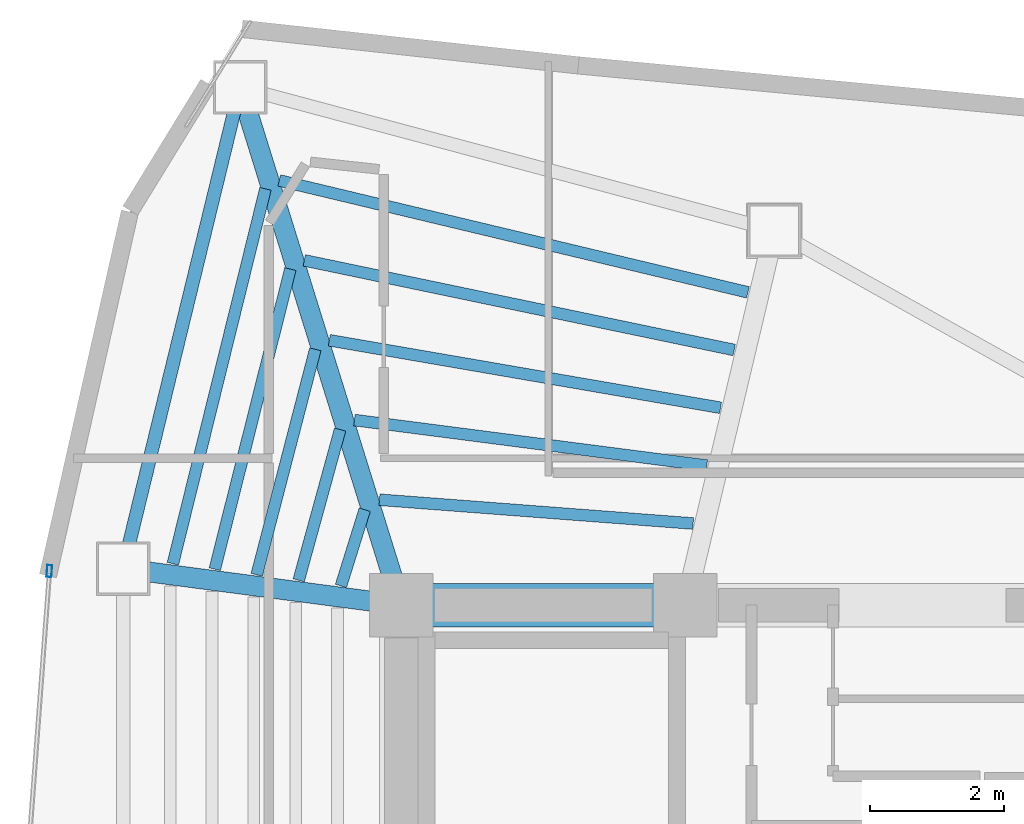
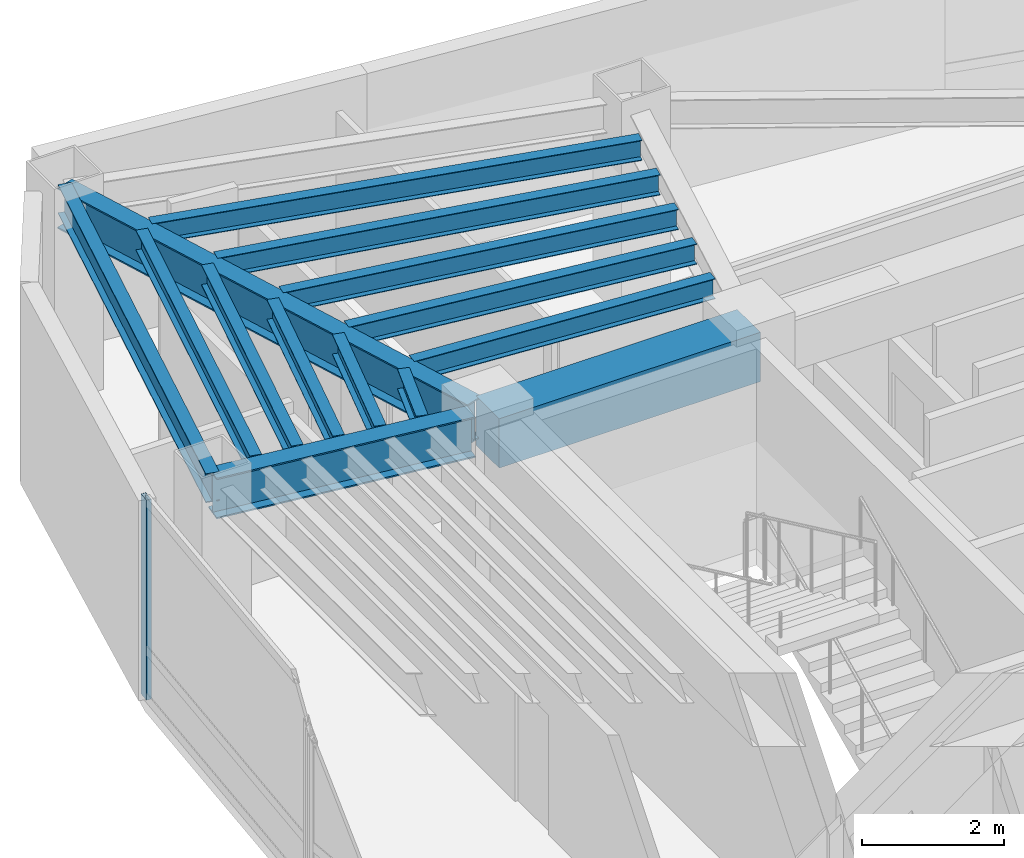
# One storey, part 8 of 17: 14 beams, 1 member, 1 element without a shape of its own.
"""IFC4 building model written with IfcOpenShell, lengths in metres."""

from ifc_helpers import new_model, si_unit, direction, frame, origin, origin_2d, place, context, subcontext, project, spatial, rectangle, hollow_rectangle, i_section, extrude, material, layer, layer_set, material_profile, profile_set, type_object, element, aggregate, save


model = new_model("IFC4")

# Units and contexts
model_context = context("Model", 3, precision=1e-05, world=origin(), true_north=direction((0.0, 1.0)))
body_context = subcontext(model_context, "Body", "Model", "MODEL_VIEW")
ifc_project = project(units=[si_unit("LENGTHUNIT", "METRE"), si_unit("AREAUNIT", "SQUARE_METRE"), si_unit("VOLUMEUNIT", "CUBIC_METRE"), si_unit("PLANEANGLEUNIT", "RADIAN"), si_unit("MASSUNIT", "GRAM", prefix="KILO")], contexts=[model_context])

# Site, building, storey
site_placement = place(None, origin())
site = spatial("IfcSite", under=ifc_project, at=site_placement, CompositionType="ELEMENT")
building_placement = place(site_placement, origin())
building = spatial("IfcBuilding", under=site, at=building_placement, Name="Menara Vayukalpa", CompositionType="ELEMENT")
storey_placement = place(building_placement, frame((0.0, 0.0, 234.419921875)))
storey = spatial("IfcBuildingStorey", under=building, at=storey_placement, Name="L59", CompositionType="ELEMENT", Elevation=234.419921875)

# Beams
ifc_material_1 = material(Name="Concrete C60/75", Category="concrete")
ifc_material_profile_1 = material_profile(ifc_material_1, rectangle(XDim=0.64990234375, YDim=0.85009765625, at=origin_2d()), Name="RC 650x850")
ifc_profile_set_1 = profile_set([ifc_material_profile_1], Name="Concrete C60/75")
beam_type_1 = type_object("IfcBeamType", Name="BM-CB1", PredefinedType="BEAM", material=ifc_profile_set_1)
beam_1_placement = place(storey_placement, frame((17.800048828125, 26.800048828125, 3.01513671875), z_axis=(1.0, 0.0, 0.0), x_axis=(0.0, 1.0, 0.0)))
element("IfcBeam", 1, at=beam_1_placement, inside=storey, type_object=beam_type_1, Name="L59 Core Tie Beam CBR4", PredefinedType="BEAM", context=body_context, shape_type="SweptSolid", body=[
    extrude(rectangle(XDim=0.64990234375, YDim=0.85009765625, at=origin_2d()), origin(), (0.0, 0.0, 1.0), 4.25),
])
ifc_material_2 = material(Name="Steel S355", Category="steel")
ifc_material_profile_2 = material_profile(ifc_material_2, i_section(OverallWidth=0.300048828125, OverallDepth=0.699951171875, WebThickness=0.012939453125, FlangeThickness=0.02392578125, at=origin_2d()), Name="WF 700x300x13x24")
ifc_profile_set_2 = profile_set([ifc_material_profile_2], Name="Steel S355")
beam_type_2 = type_object("IfcBeamType", Name="BM-PG5", PredefinedType="BEAM", material=ifc_profile_set_2)
beam_2_placement = place(storey_placement, frame((17.7255859375, 27.038818359375, 3.090087890625), z_axis=(-0.297213792842, 0.954810955815, 0.0), x_axis=(-0.954810955815, -0.297213792842, 0.0)))
element("IfcBeam", 2, at=beam_2_placement, inside=storey, type_object=beam_type_2, Name="L59 Primary Radial Girder RG04", PredefinedType="BEAM", context=body_context, shape_type="SweptSolid", body=[
    extrude(i_section(OverallWidth=0.300048828125, OverallDepth=0.699951171875, WebThickness=0.012939453125, FlangeThickness=0.02392578125, at=origin_2d()), origin(), (0.0, 0.0, 1.0), 7.861083984375),
])
beam_3_placement = place(storey_placement, frame((17.552001953125, 26.83251953125, 3.090087890625), z_axis=(-0.991477860763, 0.130275291662, 0.0), x_axis=(-0.130275291662, -0.991477860763, 0.0)))
element("IfcBeam", 3, at=beam_3_placement, inside=storey, type_object=beam_type_2, Name="L59 Primary Radial Girder RG05", PredefinedType="BEAM", context=body_context, shape_type="SweptSolid", body=[
    extrude(i_section(OverallWidth=0.300048828125, OverallDepth=0.699951171875, WebThickness=0.012939453125, FlangeThickness=0.02392578125, at=origin_2d()), origin(), (0.0, 0.0, 1.0), 3.94677734375),
])
ifc_material_3 = material(Name="Steel S355", Category="steel")
ifc_material_profile_3 = material_profile(ifc_material_3, i_section(OverallWidth=0.175048828125, OverallDepth=0.35009765625, WebThickness=0.007080078125, FlangeThickness=0.010986328125, at=origin_2d()), Name="WF 350x175x7x11")
ifc_profile_set_3 = profile_set([ifc_material_profile_3], Name="Steel S355")
beam_type_3 = type_object("IfcBeamType", Name="BM-SJ3", PredefinedType="JOIST", material=ifc_profile_set_3)
beam_4_placement = place(storey_placement, frame((22.16748046875, 28.02099609375, 3.26513671875), z_axis=(-0.997135697669, 0.075633328852, 0.0), x_axis=(-0.075633328852, -0.997135697669, 0.0)))
element("IfcBeam", 4, at=beam_4_placement, inside=storey, type_object=beam_type_3, Name="L59 Secondary Floor Joist SJ03-1", PredefinedType="JOIST", context=body_context, shape_type="SweptSolid", body=[
    extrude(i_section(OverallWidth=0.175048828125, OverallDepth=0.35009765625, WebThickness=0.007080078125, FlangeThickness=0.010986328125, at=origin_2d()), origin(), (0.0, 0.0, 1.0), 4.706298828125),
])
beam_5_placement = place(storey_placement, frame((22.372314453125, 28.887939453125, 3.26513671875), z_axis=(-0.991763759233, 0.128080622546, 0.0), x_axis=(-0.128080622546, -0.991763759233, 0.0)))
element("IfcBeam", 5, at=beam_5_placement, inside=storey, type_object=beam_type_3, Name="L59 Secondary Floor Joist SJ03-2", PredefinedType="JOIST", context=body_context, shape_type="SweptSolid", body=[
    extrude(i_section(OverallWidth=0.175048828125, OverallDepth=0.35009765625, WebThickness=0.007080078125, FlangeThickness=0.010986328125, at=origin_2d()), origin(), (0.0, 0.0, 1.0), 5.316162109375),
])
beam_6_placement = place(storey_placement, frame((22.577392578125, 29.7529296875, 3.26513671875), z_axis=(-0.985440172071, 0.170022549294, 0.0), x_axis=(-0.170022549294, -0.985440172071, 0.0)))
element("IfcBeam", 6, at=beam_6_placement, inside=storey, type_object=beam_type_3, Name="L59 Secondary Floor Joist SJ03-3", PredefinedType="JOIST", context=body_context, shape_type="SweptSolid", body=[
    extrude(i_section(OverallWidth=0.175048828125, OverallDepth=0.35009765625, WebThickness=0.007080078125, FlangeThickness=0.010986328125, at=origin_2d()), origin(), (0.0, 0.0, 1.0), 5.93896484375),
])
beam_7_placement = place(storey_placement, frame((22.7822265625, 30.61669921875, 3.26513671875), z_axis=(-0.978941451827, 0.204141210671, 0.0), x_axis=(-0.204141210671, -0.978941451827, 0.0)))
element("IfcBeam", 7, at=beam_7_placement, inside=storey, type_object=beam_type_3, Name="L59 Secondary Floor Joist SJ03-4", PredefinedType="JOIST", context=body_context, shape_type="SweptSolid", body=[
    extrude(i_section(OverallWidth=0.175048828125, OverallDepth=0.35009765625, WebThickness=0.007080078125, FlangeThickness=0.010986328125, at=origin_2d()), origin(), (0.0, 0.0, 1.0), 6.570556640625),
])
beam_8_placement = place(storey_placement, frame((22.9873046875, 31.479248046875, 3.26513671875), z_axis=(-0.972642465748, 0.232307197097, 0.0), x_axis=(-0.232307197097, -0.972642465748, 0.0)))
element("IfcBeam", 8, at=beam_8_placement, inside=storey, type_object=beam_type_3, Name="L59 Secondary Floor Joist SJ03-5", PredefinedType="JOIST", context=body_context, shape_type="SweptSolid", body=[
    extrude(i_section(OverallWidth=0.175048828125, OverallDepth=0.35009765625, WebThickness=0.007080078125, FlangeThickness=0.010986328125, at=origin_2d()), origin(), (0.0, 0.0, 1.0), 7.20947265625),
])
beam_9_placement = place(storey_placement, frame((17.25439453125, 28.2275390625, 3.26513671875), z_axis=(-0.298018933644, -0.954559958929, 0.0), x_axis=(0.954559958929, -0.298018933644, 0.0)))
element("IfcBeam", 9, at=beam_9_placement, inside=storey, type_object=beam_type_3, Name="L59 Secondary Floor Joist SJ04-1", PredefinedType="JOIST", context=body_context, shape_type="SweptSolid", body=[
    extrude(i_section(OverallWidth=0.175048828125, OverallDepth=0.35009765625, WebThickness=0.007080078125, FlangeThickness=0.010986328125, at=origin_2d()), origin(), (0.0, 0.0, 1.0), 1.1943359375),
])
beam_10_placement = place(storey_placement, frame((16.88623046875, 29.4267578125, 3.26513671875), z_axis=(-0.264918721837, -0.9642707456, 0.0), x_axis=(0.9642707456, -0.264918721837, 0.0)))
element("IfcBeam", 10, at=beam_10_placement, inside=storey, type_object=beam_type_3, Name="L59 Secondary Floor Joist SJ04-2", PredefinedType="JOIST", context=body_context, shape_type="SweptSolid", body=[
    extrude(i_section(OverallWidth=0.175048828125, OverallDepth=0.35009765625, WebThickness=0.007080078125, FlangeThickness=0.010986328125, at=origin_2d()), origin(), (0.0, 0.0, 1.0), 2.3388671875),
])
beam_11_placement = place(storey_placement, frame((16.5146484375, 30.627197265625, 3.26513671875), z_axis=(-0.251492114719, -0.96785934734, 0.0), x_axis=(0.96785934734, -0.251492114719, 0.0)))
element("IfcBeam", 11, at=beam_11_placement, inside=storey, type_object=beam_type_3, Name="L59 Secondary Floor Joist SJ04-3", PredefinedType="JOIST", context=body_context, shape_type="SweptSolid", body=[
    extrude(i_section(OverallWidth=0.175048828125, OverallDepth=0.35009765625, WebThickness=0.007080078125, FlangeThickness=0.010986328125, at=origin_2d()), origin(), (0.0, 0.0, 1.0), 3.485107421875),
])
beam_12_placement = place(storey_placement, frame((16.14208984375, 31.82763671875, 3.26513671875), z_axis=(-0.244247063973, -0.969713035769, 0.0), x_axis=(0.969713035769, -0.244247063973, 0.0)))
element("IfcBeam", 12, at=beam_12_placement, inside=storey, type_object=beam_type_3, Name="L59 Secondary Floor Joist SJ04-4", PredefinedType="JOIST", context=body_context, shape_type="SweptSolid", body=[
    extrude(i_section(OverallWidth=0.175048828125, OverallDepth=0.35009765625, WebThickness=0.007080078125, FlangeThickness=0.010986328125, at=origin_2d()), origin(), (0.0, 0.0, 1.0), 4.630859375),
])
beam_13_placement = place(storey_placement, frame((15.768798828125, 33.028564453125, 3.26513671875), z_axis=(-0.239671161383, -0.970854126222, 0.0), x_axis=(0.970854126222, -0.239671161383, 0.0)))
element("IfcBeam", 13, at=beam_13_placement, inside=storey, type_object=beam_type_3, Name="L59 Secondary Floor Joist SJ04-5", PredefinedType="JOIST", context=body_context, shape_type="SweptSolid", body=[
    extrude(i_section(OverallWidth=0.175048828125, OverallDepth=0.35009765625, WebThickness=0.007080078125, FlangeThickness=0.010986328125, at=origin_2d()), origin(), (0.0, 0.0, 1.0), 5.77783203125),
])
ifc_material_4 = material(Name="Steel S355", Category="steel")
ifc_material_profile_4 = material_profile(ifc_material_4, i_section(OverallWidth=0.199951171875, OverallDepth=0.5, WebThickness=0.010009765625, FlangeThickness=0.01611328125, at=origin_2d()), Name="WF 500x200x10x16")
ifc_profile_set_4 = profile_set([ifc_material_profile_4], Name="Steel S355")
beam_type_4 = type_object("IfcBeamType", Name="BM-SP3", PredefinedType="SPANDREL", material=ifc_profile_set_4)
beam_14_placement = place(storey_placement, frame((15.38916015625, 34.544677734375, 3.190185546875), z_axis=(-0.236272525754, -0.97168682896, 0.0), x_axis=(0.97168682896, -0.236272525754, 0.0)))
element("IfcBeam", 14, at=beam_14_placement, inside=storey, type_object=beam_type_4, Name="L59 Perimeter Spandrel Beam SP04", PredefinedType="SPANDREL", context=body_context, shape_type="SweptSolid", body=[
    extrude(i_section(OverallWidth=0.199951171875, OverallDepth=0.5, WebThickness=0.010009765625, FlangeThickness=0.01611328125, at=origin_2d()), origin(), (0.0, 0.0, 1.0), 7.40771484375),
])

# Curtain wall, member
ifc_material_5 = material(Name="Anodised Terracotta Aluminium Alloy 6063-T6", Category="masonry")
ifc_layer = layer(ifc_material_5, 0.179931640625)
ifc_layer_set = layer_set([ifc_layer], Name="Anodised Terracotta Aluminium Alloy 6063-T6")
curtain_wall_type = type_object("IfcCurtainWallType", Name="CW-CW4", PredefinedType="USERDEFINED", material=ifc_layer_set)
curtain_wall_placement = place(storey_placement, origin())
curtain_wall = element("IfcCurtainWall", 15, at=curtain_wall_placement, inside=storey, type_object=curtain_wall_type, Name="L59 Sky Bar Cantilever Glazed Curtain Wall CW4 10", ObjectType="UNITISED", PredefinedType="USERDEFINED")
ifc_material_6 = material(Name="Anodised Terracotta Aluminium Alloy 6063-T6", Category="masonry")
ifc_material_profile_5 = material_profile(ifc_material_6, hollow_rectangle(XDim=0.074951171875, YDim=0.179931640625, WallThickness=0.00390625, at=origin_2d()), Name="ALU 75x180x4")
ifc_profile_set_5 = profile_set([ifc_material_profile_5], Name="Anodised Terracotta Aluminium Alloy 6063-T6")
member_type = type_object("IfcMemberType", Name="CWM-CW4", PredefinedType="MULLION", material=ifc_profile_set_5)
member_placement = place(storey_placement, frame((12.5361328125, 27.309326171875, 0.0), z_axis=(0.0, 0.0, 1.0), x_axis=(0.997199344663, -0.074789484574, 0.0)))
member = element("IfcMember", 16, at=member_placement, type_object=member_type, Name="CW4 mullion 1", PredefinedType="MULLION", context=body_context, shape_type="SweptSolid", body=[
    extrude(hollow_rectangle(XDim=0.074951171875, YDim=0.179931640625, WallThickness=0.00390625, at=origin_2d()), origin(), (0.0, 0.0, 1.0), 3.440185546875),
])
aggregate(curtain_wall, [member])

save(model, "model.ifc")
